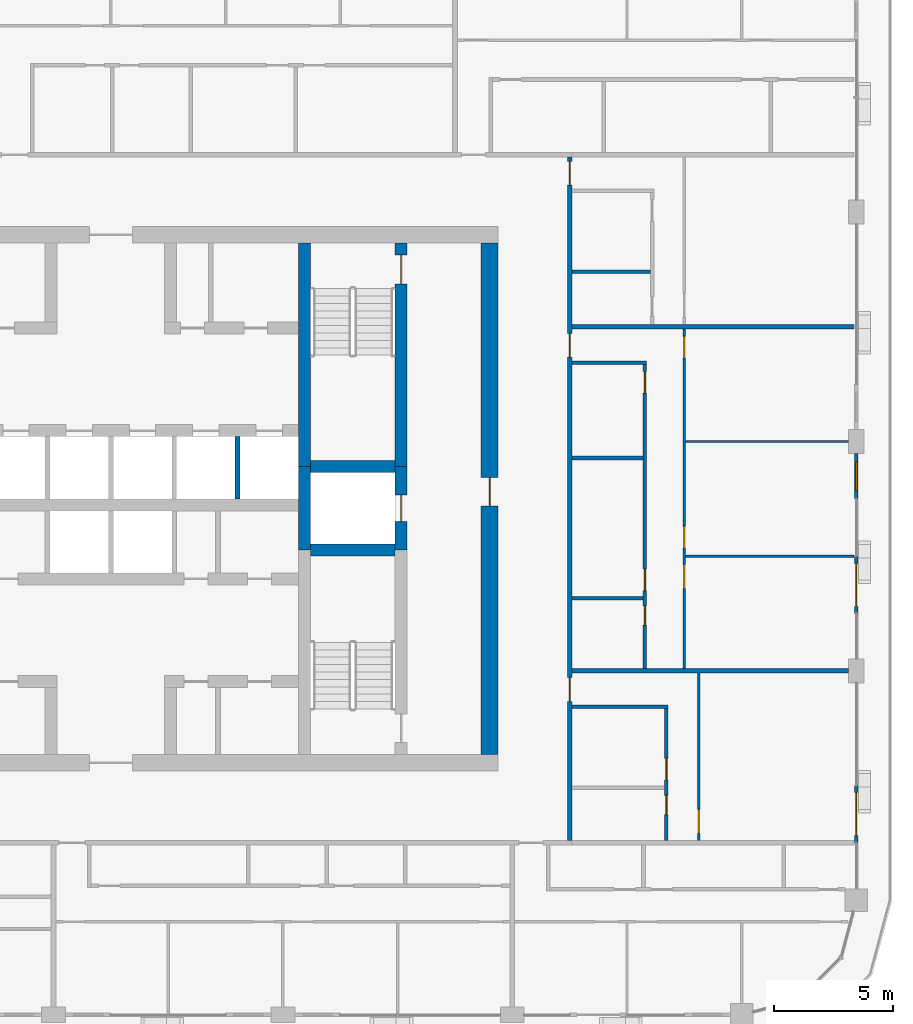
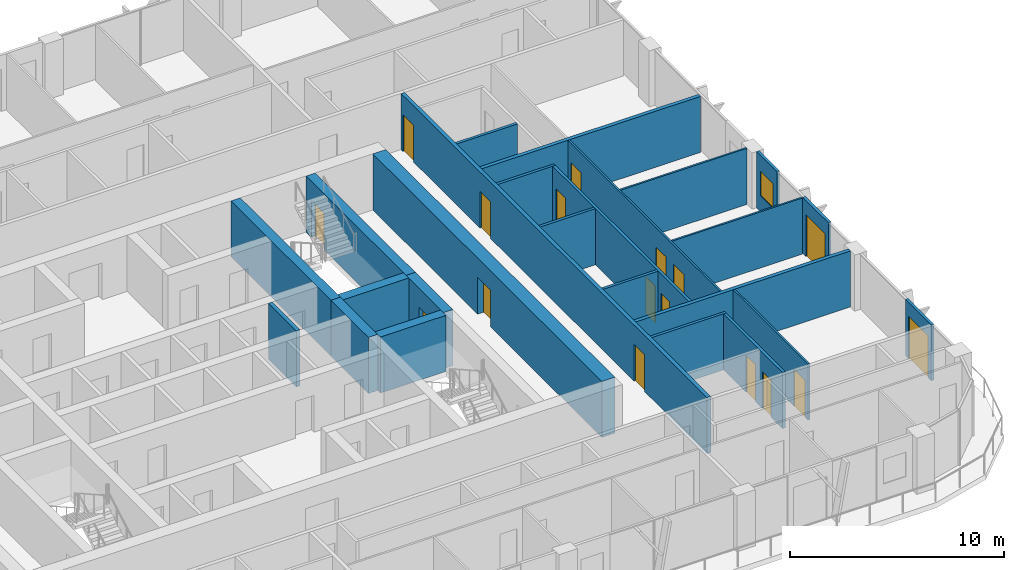
# One storey, part 13 of 23: 25 walls, 17 doors, 1 window, 18 openings.
"""IFC4 building model written with IfcOpenShell, lengths in metres."""

from ifc_helpers import new_model, si_unit, direction, frame, frame_2d, origin, place, context, subcontext, project, spatial, rectangle, extrude, material, layer, layer_set, type_object, element, fill, save


model = new_model("IFC4")

# Units and contexts
model_context = context("Model", 3, precision=1e-05, world=origin(), true_north=direction((0.0, 1.0)))
body_context = subcontext(model_context, "Body", "Model", "MODEL_VIEW")
ifc_project = project(units=[si_unit("LENGTHUNIT", "METRE"), si_unit("AREAUNIT", "SQUARE_METRE"), si_unit("VOLUMEUNIT", "CUBIC_METRE"), si_unit("PLANEANGLEUNIT", "RADIAN"), si_unit("MASSUNIT", "GRAM", prefix="KILO")], contexts=[model_context])

# Site, building, storey
site_placement = place(None, origin())
site = spatial("IfcSite", under=ifc_project, at=site_placement, CompositionType="ELEMENT")
building_placement = place(site_placement, origin())
building = spatial("IfcBuilding", under=site, at=building_placement, Name="Madar Terraces", CompositionType="ELEMENT")
storey_placement = place(building_placement, frame((0.0, 0.0, 222.800048828125)))
storey = spatial("IfcBuildingStorey", under=building, at=storey_placement, Name="L58", CompositionType="ELEMENT", Elevation=222.800048828125)

# Walls
ifc_material_1 = material(Name="Concrete C60/75", Category="concrete")
ifc_layer_1 = layer(ifc_material_1, 0.5)
ifc_layer_set_1 = layer_set([ifc_layer_1], Name="Concrete C60/75 (CIW4 RC wall 500)")
wall_type_1 = type_object("IfcWallType", Name="CIW4 RC wall 500", PredefinedType="SHEAR", material=ifc_layer_set_1)
wall_1_placement = place(storey_placement, frame((39.300048828125, 24.25, 0.0), z_axis=(0.0, 0.0, 1.0), x_axis=(0.0, 1.0, 0.0)))
element("IfcWall", 1, at=wall_1_placement, inside=storey, type_object=wall_type_1, Name="CORE SHAFT WALL", PredefinedType="SHEAR", context=body_context, shape_type="SweptSolid", body=[
    extrude(rectangle(XDim=3.5, YDim=0.5, at=frame_2d((1.75, 0.0))), origin(), (0.0, 0.0, 1.0), 3.199951171875),
])
wall_2_placement = place(storey_placement, frame((39.300048828125, 27.75, 0.0), z_axis=(0.0, 0.0, 1.0), x_axis=(0.0, 1.0, 0.0)))
element("IfcWall", 2, at=wall_2_placement, inside=storey, type_object=wall_type_1, Name="CORE SHAFT WALL", PredefinedType="SHEAR", context=body_context, shape_type="SweptSolid", body=[
    extrude(rectangle(XDim=9.35009765625, YDim=0.5, at=frame_2d((4.675048828125, 0.0))), origin(), (0.0, 0.0, 1.0), 3.199951171875),
])

# Wall, opening, door
wall_3_placement = place(storey_placement, frame((43.35009765625, 24.25, 0.0), z_axis=(0.0, 0.0, 1.0), x_axis=(0.0, 1.0, 0.0)))
wall_3 = element("IfcWall", 3, at=wall_3_placement, inside=storey, type_object=wall_type_1, Name="CORE SHAFT WALL", PredefinedType="SHEAR", context=body_context, shape_type="SweptSolid", body=[
    extrude(rectangle(XDim=3.5, YDim=0.5, at=frame_2d((1.75, 0.0))), origin(), (0.0, 0.0, 1.0), 3.199951171875),
])
opening_1_placement = place(wall_3_placement, frame((1.199951171875, 0.0, 0.0)))
opening_1 = element("IfcOpeningElement", 4, at=opening_1_placement, cuts=wall_3, Name="Opening LD", PredefinedType="OPENING", context=body_context, shape_type="SweptSolid", body=[
    extrude(rectangle(XDim=1.10009765625, YDim=2.10009765625, at=frame_2d((0.550048828125, 1.050048828125))), frame((0.0, 0.260009765625, 0.0), z_axis=(0.0, -1.0, 0.0), x_axis=(1.0, 0.0, 0.0)), (0.0, 0.0, 1.0), 0.52001953125),
])
ifc_material_2 = material(Name="Stainless steel panel", Category="steel")
door_type_1 = type_object("IfcDoorType", Name="Lift landing door 1100 x 2100", OperationType="DOUBLE_DOOR_SLIDING", PredefinedType="DOOR", material=ifc_material_2)
door_1_placement = place(opening_1_placement, origin())
door_1 = element("IfcDoor", 5, at=door_1_placement, inside=storey, type_object=door_type_1, Name="LIFT LANDING DOOR", OperationType="DOUBLE_DOOR_SLIDING", OverallHeight=2.10009765625, OverallWidth=1.10009765625, PredefinedType="DOOR", context=body_context, shape_type="SweptSolid", body=[
    extrude(rectangle(XDim=1.10009765625, YDim=2.10009765625, at=frame_2d((0.550048828125, 1.050048828125))), frame((0.0, 0.02490234375, 0.0), z_axis=(0.0, -1.0, 0.0), x_axis=(1.0, 0.0, 0.0)), (0.0, 0.0, 1.0), 0.050048828125),
])
fill(opening_1, door_1)

wall_4_placement = place(storey_placement, frame((43.35009765625, 27.75, 0.0), z_axis=(0.0, 0.0, 1.0), x_axis=(0.0, 1.0, 0.0)))
wall_4 = element("IfcWall", 6, at=wall_4_placement, inside=storey, type_object=wall_type_1, Name="CORE SHAFT WALL", PredefinedType="SHEAR", context=body_context, shape_type="SweptSolid", body=[
    extrude(rectangle(XDim=9.35009765625, YDim=0.5, at=frame_2d((4.675048828125, 0.0))), origin(), (0.0, 0.0, 1.0), 3.199951171875),
])
opening_2_placement = place(wall_4_placement, frame((7.64990234375, 0.0, 0.0)))
opening_2 = element("IfcOpeningElement", 7, at=opening_2_placement, cuts=wall_4, Name="Opening SD1", PredefinedType="OPENING", context=body_context, shape_type="SweptSolid", body=[
    extrude(rectangle(XDim=1.199951171875, YDim=2.10009765625, at=frame_2d((0.60009765625, 1.050048828125))), frame((0.0, 0.260009765625, 0.0), z_axis=(0.0, -1.0, 0.0), x_axis=(1.0, 0.0, 0.0)), (0.0, 0.0, 1.0), 0.52001953125),
])
ifc_material_3 = material(Name="Steel door leaf", Category="steel")
door_type_2 = type_object("IfcDoorType", Name="Stair door 1200 x 2100", OperationType="NOTDEFINED", PredefinedType="DOOR", material=ifc_material_3)
door_2_placement = place(opening_2_placement, origin())
door_2 = element("IfcDoor", 8, at=door_2_placement, inside=storey, type_object=door_type_2, Name="STAIR DOOR", OperationType="SINGLE_SWING_RIGHT", OverallHeight=2.10009765625, OverallWidth=1.199951171875, PredefinedType="DOOR", context=body_context, shape_type="SweptSolid", body=[
    extrude(rectangle(XDim=1.199951171875, YDim=2.10009765625, at=frame_2d((0.60009765625, 1.050048828125))), frame((0.0, 0.02490234375, 0.0), z_axis=(0.0, -1.0, 0.0), x_axis=(1.0, 0.0, 0.0)), (0.0, 0.0, 1.0), 0.050048828125),
])
fill(opening_2, door_2)

# Walls
for number, where, z_axis, x_axis, name in (
    (9, (39.550048828125, 24.25, 0.0), (0.0, 0.0, 1.0), (1.0, 0.0, 0.0), "CORE SHAFT WALL"),
    (10, (39.550048828125, 27.75, 0.0), (0.0, 0.0, 1.0), (1.0, 0.0, 0.0), "CORE SHAFT WALL"),
):
    element("IfcWall", number, at=place(storey_placement, frame(where, z_axis=z_axis, x_axis=x_axis)), inside=storey, type_object=wall_type_1, Name=name, PredefinedType="SHEAR", context=body_context, shape_type="SweptSolid", body=[
        extrude(rectangle(XDim=3.550048828125, YDim=0.5, at=frame_2d((1.77490234375, 0.0))), origin(), (0.0, 0.0, 1.0), 3.199951171875),
    ])

# Wall, opening, door
ifc_material_4 = material(Name="Concrete C60/75", Category="concrete")
ifc_layer_2 = layer(ifc_material_4, 0.699951171875)
ifc_layer_set_2 = layer_set([ifc_layer_2], Name="Concrete C60/75 (CRW4 RC wall 700)")
wall_type_2 = type_object("IfcWallType", Name="CRW4 RC wall 700", PredefinedType="SHEAR", material=ifc_layer_set_2)
wall_5_placement = place(storey_placement, frame((47.050048828125, 15.699951171875, 0.0), z_axis=(0.0, 0.0, 1.0), x_axis=(0.0, 1.0, 0.0)))
wall_5 = element("IfcWall", 11, at=wall_5_placement, inside=storey, type_object=wall_type_2, Name="CORE OUTER WALL", PredefinedType="SHEAR", context=body_context, shape_type="SweptSolid", body=[
    extrude(rectangle(XDim=21.400146484375, YDim=0.699951171875, at=frame_2d((10.7001953125, 0.0))), origin(), (0.0, 0.0, 1.0), 3.199951171875),
])
opening_3_placement = place(wall_5_placement, frame((10.39990234375, 0.0, 0.0)))
opening_3 = element("IfcOpeningElement", 12, at=opening_3_placement, cuts=wall_5, Name="Opening SD1", PredefinedType="OPENING", context=body_context, shape_type="SweptSolid", body=[
    extrude(rectangle(XDim=1.199951171875, YDim=2.10009765625, at=frame_2d((0.60009765625, 1.050048828125))), frame((0.0, 0.35986328125, 0.0), z_axis=(0.0, -1.0, 0.0), x_axis=(1.0, 0.0, 0.0)), (0.0, 0.0, 1.0), 0.719970703125),
])
door_3_placement = place(opening_3_placement, origin())
door_3 = element("IfcDoor", 13, at=door_3_placement, inside=storey, type_object=door_type_2, Name="STAIR DOOR", OperationType="SINGLE_SWING_RIGHT", OverallHeight=2.10009765625, OverallWidth=1.199951171875, PredefinedType="DOOR", context=body_context, shape_type="SweptSolid", body=[
    extrude(rectangle(XDim=1.199951171875, YDim=2.10009765625, at=frame_2d((0.60009765625, 1.050048828125))), frame((0.0, 0.02490234375, 0.0), z_axis=(0.0, -1.0, 0.0), x_axis=(1.0, 0.0, 0.0)), (0.0, 0.0, 1.0), 0.050048828125),
])
fill(opening_3, door_3)

# Wall
ifc_material_5 = material(Name="Concrete C40/50", Category="concrete")
ifc_layer_3 = layer(ifc_material_5, 0.199951171875)
ifc_layer_set_3 = layer_set([ifc_layer_3], Name="Core shaft dividing wall 200 C40/50")
wall_type_3 = type_object("IfcWallType", Name="Core shaft dividing wall 200 C40/50", PredefinedType="SOLIDWALL", material=ifc_layer_set_3)
wall_6_placement = place(storey_placement, frame((36.5, 26.39990234375, 0.0), z_axis=(0.0, 0.0, 1.0), x_axis=(0.0, 1.0, 0.0)))
element("IfcWall", 14, at=wall_6_placement, inside=storey, type_object=wall_type_3, Name="SHAFT DIVIDING WALL", PredefinedType="SOLIDWALL", context=body_context, shape_type="SweptSolid", body=[
    extrude(rectangle(XDim=2.60009765625, YDim=0.199951171875, at=frame_2d((1.300048828125, 0.0))), origin(), (0.0, 0.0, 1.0), 3.199951171875),
])

# Wall, opening, door
ifc_material_6 = material(Name="Aluminium composite panel, black, over insulated backing", Category="aluminium")
ifc_layer_4 = layer(ifc_material_6, 0.14990234375)
ifc_layer_set_4 = layer_set([ifc_layer_4], Name="Facade bay panel 150")
wall_type_4 = type_object("IfcWallType", Name="Facade bay panel 150", PredefinedType="SOLIDWALL", material=ifc_layer_set_4)
wall_7_placement = place(storey_placement, frame((62.39990234375, 12.0, 0.0), z_axis=(0.0, 0.0, 1.0), x_axis=(0.0, 1.0, 0.0)))
wall_7 = element("IfcWall", 15, at=wall_7_placement, inside=storey, type_object=wall_type_4, Name="Facade bay panel", PredefinedType="SOLIDWALL", context=body_context, shape_type="SweptSolid", body=[
    extrude(rectangle(XDim=2.39990234375, YDim=0.14990234375, at=frame_2d((1.199951171875, 0.0))), origin(), (0.0, 0.0, 1.0), 3.199951171875),
])
opening_4_placement = place(wall_7_placement, frame((0.300048828125, 0.0, 0.0)))
opening_4 = element("IfcOpeningElement", 16, at=opening_4_placement, cuts=wall_7, Name="Opening ED1", PredefinedType="OPENING", context=body_context, shape_type="SweptSolid", body=[
    extrude(rectangle(XDim=1.800048828125, YDim=2.39990234375, at=frame_2d((0.89990234375, 1.199951171875))), frame((0.0, 0.0849609375, 0.0), z_axis=(0.0, -1.0, 0.0), x_axis=(1.0, 0.0, 0.0)), (0.0, 0.0, 1.0), 0.169921875),
])
ifc_material_7 = material(Name="Glass, clear, with black aluminium frame", Category="aluminium")
door_type_3 = type_object("IfcDoorType", Name="Balcony and terrace sliding door 1800 x 2400", OperationType="SLIDING_TO_LEFT", PredefinedType="DOOR", material=ifc_material_7)
door_4_placement = place(opening_4_placement, origin())
door_4 = element("IfcDoor", 17, at=door_4_placement, inside=storey, type_object=door_type_3, Name="Balcony door", OperationType="SLIDING_TO_LEFT", OverallHeight=2.39990234375, OverallWidth=1.800048828125, PredefinedType="DOOR", context=body_context, shape_type="SweptSolid", body=[
    extrude(rectangle(XDim=1.800048828125, YDim=2.39990234375, at=frame_2d((0.89990234375, 1.199951171875))), frame((0.0, 0.02490234375, 0.0), z_axis=(0.0, -1.0, 0.0), x_axis=(1.0, 0.0, 0.0)), (0.0, 0.0, 1.0), 0.050048828125),
])
fill(opening_4, door_4)

wall_8_placement = place(storey_placement, frame((62.39990234375, 21.60009765625, 0.0), z_axis=(0.0, 0.0, 1.0), x_axis=(0.0, 1.0, 0.0)))
wall_8 = element("IfcWall", 18, at=wall_8_placement, inside=storey, type_object=wall_type_4, Name="Facade bay panel", PredefinedType="SOLIDWALL", context=body_context, shape_type="SweptSolid", body=[
    extrude(rectangle(XDim=2.39990234375, YDim=0.14990234375, at=frame_2d((1.199951171875, 0.0))), origin(), (0.0, 0.0, 1.0), 3.199951171875),
])
opening_5_placement = place(wall_8_placement, frame((0.300048828125, 0.0, 0.0)))
opening_5 = element("IfcOpeningElement", 19, at=opening_5_placement, cuts=wall_8, Name="Opening ED1", PredefinedType="OPENING", context=body_context, shape_type="SweptSolid", body=[
    extrude(rectangle(XDim=1.800048828125, YDim=2.39990234375, at=frame_2d((0.89990234375, 1.199951171875))), frame((0.0, 0.0849609375, 0.0), z_axis=(0.0, -1.0, 0.0), x_axis=(1.0, 0.0, 0.0)), (0.0, 0.0, 1.0), 0.169921875),
])
door_5_placement = place(opening_5_placement, origin())
door_5 = element("IfcDoor", 20, at=door_5_placement, inside=storey, type_object=door_type_3, Name="Balcony door", OperationType="SLIDING_TO_RIGHT", OverallHeight=2.39990234375, OverallWidth=1.800048828125, PredefinedType="DOOR", context=body_context, shape_type="SweptSolid", body=[
    extrude(rectangle(XDim=1.800048828125, YDim=2.39990234375, at=frame_2d((0.89990234375, 1.199951171875))), frame((0.0, 0.02490234375, 0.0), z_axis=(0.0, -1.0, 0.0), x_axis=(1.0, 0.0, 0.0)), (0.0, 0.0, 1.0), 0.050048828125),
])
fill(opening_5, door_5)

# Wall, opening, window
wall_9_placement = place(storey_placement, frame((62.39990234375, 26.39990234375, 0.0), z_axis=(0.0, 0.0, 1.0), x_axis=(0.0, 1.0, 0.0)))
wall_9 = element("IfcWall", 21, at=wall_9_placement, inside=storey, type_object=wall_type_4, Name="Facade bay panel", PredefinedType="SOLIDWALL", context=body_context, shape_type="SweptSolid", body=[
    extrude(rectangle(XDim=1.900146484375, YDim=0.14990234375, at=frame_2d((0.9501953125, 0.0))), origin(), (0.0, 0.0, 1.0), 3.199951171875),
])
opening_6_placement = place(wall_9_placement, frame((0.35009765625, 0.0, 0.89990234375)))
opening_6 = element("IfcOpeningElement", 22, at=opening_6_placement, cuts=wall_9, Name="Opening W1", PredefinedType="OPENING", context=body_context, shape_type="SweptSolid", body=[
    extrude(rectangle(XDim=1.199951171875, YDim=1.39990234375, at=frame_2d((0.60009765625, 0.699951171875))), frame((0.0, 0.0849609375, 0.0), z_axis=(0.0, -1.0, 0.0), x_axis=(1.0, 0.0, 0.0)), (0.0, 0.0, 1.0), 0.169921875),
])
ifc_material_8 = material(Name="Glass, clear, with black aluminium frame", Category="aluminium")
window_type = type_object("IfcWindowType", Name="Vent window 1200 x 1400", PartitioningType="SINGLE_PANEL", PredefinedType="WINDOW", material=ifc_material_8)
window_placement = place(opening_6_placement, origin())
window = element("IfcWindow", 23, at=window_placement, inside=storey, type_object=window_type, Name="Operable vent window", OverallHeight=1.39990234375, OverallWidth=1.199951171875, PartitioningType="SINGLE_PANEL", PredefinedType="WINDOW", context=body_context, shape_type="SweptSolid", body=[
    extrude(rectangle(XDim=1.199951171875, YDim=1.39990234375, at=frame_2d((0.60009765625, 0.699951171875))), frame((0.0, 0.030029296875, 0.0), z_axis=(0.0, -1.0, 0.0), x_axis=(1.0, 0.0, 0.0)), (0.0, 0.0, 1.0), 0.06005859375),
])
fill(opening_6, window)

# Wall, opening, door
ifc_material_9 = material(Name="Gypsum board on steel studs", Category="steel")
ifc_layer_5 = layer(ifc_material_9, 0.10009765625)
ifc_layer_set_5 = layer_set([ifc_layer_5], Name="Flat partition 100")
wall_type_5 = type_object("IfcWallType", Name="Flat partition 100", PredefinedType="PARTITIONING", material=ifc_layer_set_5)
wall_10_placement = place(storey_placement, frame((55.800048828125, 19.10009765625, 0.0), z_axis=(0.0, 0.0, 1.0), x_axis=(0.0, -1.0, 0.0)))
wall_10 = element("IfcWall", 24, at=wall_10_placement, inside=storey, type_object=wall_type_5, Name="Flat partition 100", PredefinedType="PARTITIONING", context=body_context, shape_type="SweptSolid", body=[
    extrude(rectangle(XDim=7.0, YDim=0.10009765625, at=frame_2d((3.5, 0.0))), origin(), (0.0, 0.0, 1.0), 3.199951171875),
])
opening_7_placement = place(wall_10_placement, frame((5.699951171875, 0.0, 0.0)))
opening_7 = element("IfcOpeningElement", 25, at=opening_7_placement, cuts=wall_10, Name="Opening D3", PredefinedType="OPENING", context=body_context, shape_type="SweptSolid", body=[
    extrude(rectangle(XDim=1.0, YDim=2.10009765625, at=frame_2d((0.5, 1.050048828125))), frame((0.0, 0.06005859375, 0.0), z_axis=(0.0, -1.0, 0.0), x_axis=(1.0, 0.0, 0.0)), (0.0, 0.0, 1.0), 0.1201171875),
])
ifc_material_10 = material(Name="Timber door leaf", Category="wood")
door_type_4 = type_object("IfcDoorType", Name="Flat living room door 1000", OperationType="NOTDEFINED", PredefinedType="DOOR", material=ifc_material_10)
door_6_placement = place(opening_7_placement, origin())
door_6 = element("IfcDoor", 26, at=door_6_placement, inside=storey, type_object=door_type_4, Name="Flat living room door 1000", OperationType="SINGLE_SWING_RIGHT", OverallHeight=2.10009765625, OverallWidth=1.0, PredefinedType="DOOR", context=body_context, shape_type="SweptSolid", body=[
    extrude(rectangle(XDim=1.0, YDim=2.10009765625, at=frame_2d((0.5, 1.050048828125))), frame((0.0, 0.02490234375, 0.0), z_axis=(0.0, -1.0, 0.0), x_axis=(1.0, 0.0, 0.0)), (0.0, 0.0, 1.0), 0.050048828125),
])
fill(opening_7, door_6)

# Walls
wall_11_placement = place(storey_placement, frame((55.25, 28.800048828125, 0.0), z_axis=(0.0, 0.0, 1.0), x_axis=(1.0, 0.0, 0.0)))
element("IfcWall", 27, at=wall_11_placement, inside=storey, type_object=wall_type_5, Name="Flat partition 100", PredefinedType="PARTITIONING", context=body_context, shape_type="SweptSolid", body=[
    extrude(rectangle(XDim=6.824951171875, YDim=0.10009765625, at=frame_2d((3.41259765625, 0.0))), origin(), (0.0, 0.0, 1.0), 3.199951171875),
])
wall_12_placement = place(storey_placement, frame((55.25, 24.0, 0.0), z_axis=(0.0, 0.0, 1.0), x_axis=(1.0, 0.0, 0.0)))
element("IfcWall", 28, at=wall_12_placement, inside=storey, type_object=wall_type_5, Name="Flat partition 100", PredefinedType="PARTITIONING", context=body_context, shape_type="SweptSolid", body=[
    extrude(rectangle(XDim=7.050048828125, YDim=0.10009765625, at=frame_2d((3.52490234375, 0.0))), origin(), (0.0, 0.0, 1.0), 3.199951171875),
])

# Wall, openings, doors
wall_13_placement = place(storey_placement, frame((55.199951171875, 33.5, 0.0), z_axis=(0.0, 0.0, 1.0), x_axis=(0.0, -1.0, 0.0)))
wall_13 = element("IfcWall", 29, at=wall_13_placement, inside=storey, type_object=wall_type_5, Name="Flat partition 100", PredefinedType="PARTITIONING", context=body_context, shape_type="SweptSolid", body=[
    extrude(rectangle(XDim=14.199951171875, YDim=0.10009765625, at=frame_2d((7.10009765625, 0.0))), origin(), (0.0, 0.0, 1.0), 3.199951171875),
])
opening_8_placement = place(wall_13_placement, frame((0.300048828125, 0.0, 0.0)))
opening_8 = element("IfcOpeningElement", 30, at=opening_8_placement, cuts=wall_13, Name="Opening D2", PredefinedType="OPENING", context=body_context, shape_type="SweptSolid", body=[
    extrude(rectangle(XDim=0.89990234375, YDim=2.10009765625, at=frame_2d((0.449951171875, 1.050048828125))), frame((0.0, 0.06005859375, 0.0), z_axis=(0.0, -1.0, 0.0), x_axis=(1.0, 0.0, 0.0)), (0.0, 0.0, 1.0), 0.1201171875),
])
opening_9_placement = place(wall_13_placement, frame((8.25, 0.0, 0.0)))
opening_9 = element("IfcOpeningElement", 31, at=opening_9_placement, cuts=wall_13, Name="Opening D2", PredefinedType="OPENING", context=body_context, shape_type="SweptSolid", body=[
    extrude(rectangle(XDim=0.89990234375, YDim=2.10009765625, at=frame_2d((0.449951171875, 1.050048828125))), frame((0.0, 0.06005859375, 0.0), z_axis=(0.0, -1.0, 0.0), x_axis=(1.0, 0.0, 0.0)), (0.0, 0.0, 1.0), 0.1201171875),
])
opening_10_placement = place(wall_13_placement, frame((9.85009765625, 0.0, 0.0)))
opening_10 = element("IfcOpeningElement", 32, at=opening_10_placement, cuts=wall_13, Name="Opening D3", PredefinedType="OPENING", context=body_context, shape_type="SweptSolid", body=[
    extrude(rectangle(XDim=1.0, YDim=2.10009765625, at=frame_2d((0.5, 1.050048828125))), frame((0.0, 0.06005859375, 0.0), z_axis=(0.0, -1.0, 0.0), x_axis=(1.0, 0.0, 0.0)), (0.0, 0.0, 1.0), 0.1201171875),
])
door_7_placement = place(opening_10_placement, origin())
door_7 = element("IfcDoor", 33, at=door_7_placement, inside=storey, type_object=door_type_4, Name="Flat living room door 1000", OperationType="SINGLE_SWING_LEFT", OverallHeight=2.10009765625, OverallWidth=1.0, PredefinedType="DOOR", context=body_context, shape_type="SweptSolid", body=[
    extrude(rectangle(XDim=1.0, YDim=2.10009765625, at=frame_2d((0.5, 1.050048828125))), frame((0.0, 0.02490234375, 0.0), z_axis=(0.0, -1.0, 0.0), x_axis=(1.0, 0.0, 0.0)), (0.0, 0.0, 1.0), 0.050048828125),
])
fill(opening_10, door_7)
ifc_material_11 = material(Name="Timber door leaf", Category="wood")
door_type_5 = type_object("IfcDoorType", Name="Flat room door 900", OperationType="NOTDEFINED", PredefinedType="DOOR", material=ifc_material_11)
door_8_placement = place(opening_8_placement, origin())
door_8 = element("IfcDoor", 34, at=door_8_placement, inside=storey, type_object=door_type_5, Name="Flat room door 900", OperationType="SINGLE_SWING_LEFT", OverallHeight=2.10009765625, OverallWidth=0.89990234375, PredefinedType="DOOR", context=body_context, shape_type="SweptSolid", body=[
    extrude(rectangle(XDim=0.89990234375, YDim=2.10009765625, at=frame_2d((0.449951171875, 1.050048828125))), frame((0.0, 0.02490234375, 0.0), z_axis=(0.0, -1.0, 0.0), x_axis=(1.0, 0.0, 0.0)), (0.0, 0.0, 1.0), 0.050048828125),
])
fill(opening_8, door_8)
door_9_placement = place(opening_9_placement, origin())
door_9 = element("IfcDoor", 35, at=door_9_placement, inside=storey, type_object=door_type_5, Name="Flat room door 900", OperationType="SINGLE_SWING_RIGHT", OverallHeight=2.10009765625, OverallWidth=0.89990234375, PredefinedType="DOOR", context=body_context, shape_type="SweptSolid", body=[
    extrude(rectangle(XDim=0.89990234375, YDim=2.10009765625, at=frame_2d((0.449951171875, 1.050048828125))), frame((0.0, 0.02490234375, 0.0), z_axis=(0.0, -1.0, 0.0), x_axis=(1.0, 0.0, 0.0)), (0.0, 0.0, 1.0), 0.050048828125),
])
fill(opening_9, door_9)

ifc_material_12 = material(Name="Lightweight blockwork", Category="masonry")
ifc_layer_6 = layer(ifc_material_12, 0.199951171875)
ifc_layer_set_6 = layer_set([ifc_layer_6], Name="Flat party and entrance wall 200")
wall_type_6 = type_object("IfcWallType", Name="Flat party and entrance wall 200", PredefinedType="PARTITIONING", material=ifc_layer_set_6)
wall_14_placement = place(storey_placement, frame((50.39990234375, 40.699951171875, 0.0), z_axis=(0.0, 0.0, 1.0), x_axis=(0.0, -1.0, 0.0)))
wall_14 = element("IfcWall", 36, at=wall_14_placement, inside=storey, type_object=wall_type_6, Name="Flat party and entrance wall 200", PredefinedType="PARTITIONING", context=body_context, shape_type="SweptSolid", body=[
    extrude(rectangle(XDim=28.599853515625, YDim=0.199951171875, at=frame_2d((14.2998046875, 0.0))), origin(), (0.0, 0.0, 1.0), 3.199951171875),
])
opening_11_placement = place(wall_14_placement, frame((21.77490234375, 0.0, 0.0)))
opening_11 = element("IfcOpeningElement", 37, at=opening_11_placement, cuts=wall_14, Name="Opening D1", PredefinedType="OPENING", context=body_context, shape_type="SweptSolid", body=[
    extrude(rectangle(XDim=1.0, YDim=2.10009765625, at=frame_2d((0.5, 1.050048828125))), frame((0.0, 0.10986328125, 0.0), z_axis=(0.0, -1.0, 0.0), x_axis=(1.0, 0.0, 0.0)), (0.0, 0.0, 1.0), 0.219970703125),
])
opening_12_placement = place(wall_14_placement, frame((7.375, 0.0, 0.0)))
opening_12 = element("IfcOpeningElement", 38, at=opening_12_placement, cuts=wall_14, Name="Opening D1", PredefinedType="OPENING", context=body_context, shape_type="SweptSolid", body=[
    extrude(rectangle(XDim=1.0, YDim=2.10009765625, at=frame_2d((0.5, 1.050048828125))), frame((0.0, 0.10986328125, 0.0), z_axis=(0.0, -1.0, 0.0), x_axis=(1.0, 0.0, 0.0)), (0.0, 0.0, 1.0), 0.219970703125),
])
opening_13_placement = place(wall_14_placement, frame((0.175048828125, 0.0, 0.0)))
opening_13 = element("IfcOpeningElement", 39, at=opening_13_placement, cuts=wall_14, Name="Opening D1", PredefinedType="OPENING", context=body_context, shape_type="SweptSolid", body=[
    extrude(rectangle(XDim=1.0, YDim=2.10009765625, at=frame_2d((0.5, 1.050048828125))), frame((0.0, 0.10986328125, 0.0), z_axis=(0.0, -1.0, 0.0), x_axis=(1.0, 0.0, 0.0)), (0.0, 0.0, 1.0), 0.219970703125),
])
ifc_material_13 = material(Name="Timber fire door leaf", Category="wood")
door_type_6 = type_object("IfcDoorType", Name="Flat entrance door 1000 FD30S", OperationType="NOTDEFINED", PredefinedType="DOOR", material=ifc_material_13)
door_10_placement = place(opening_11_placement, origin())
door_10 = element("IfcDoor", 40, at=door_10_placement, inside=storey, type_object=door_type_6, Name="Flat entrance door 1000 FD30S", OperationType="SINGLE_SWING_LEFT", OverallHeight=2.10009765625, OverallWidth=1.0, PredefinedType="DOOR", context=body_context, shape_type="SweptSolid", body=[
    extrude(rectangle(XDim=1.0, YDim=2.10009765625, at=frame_2d((0.5, 1.050048828125))), frame((0.0, 0.02490234375, 0.0), z_axis=(0.0, -1.0, 0.0), x_axis=(1.0, 0.0, 0.0)), (0.0, 0.0, 1.0), 0.050048828125),
])
fill(opening_11, door_10)
door_11_placement = place(opening_12_placement, origin())
door_11 = element("IfcDoor", 41, at=door_11_placement, inside=storey, type_object=door_type_6, Name="Flat entrance door 1000 FD30S", OperationType="SINGLE_SWING_LEFT", OverallHeight=2.10009765625, OverallWidth=1.0, PredefinedType="DOOR", context=body_context, shape_type="SweptSolid", body=[
    extrude(rectangle(XDim=1.0, YDim=2.10009765625, at=frame_2d((0.5, 1.050048828125))), frame((0.0, 0.02490234375, 0.0), z_axis=(0.0, -1.0, 0.0), x_axis=(1.0, 0.0, 0.0)), (0.0, 0.0, 1.0), 0.050048828125),
])
fill(opening_12, door_11)
door_12_placement = place(opening_13_placement, origin())
door_12 = element("IfcDoor", 42, at=door_12_placement, inside=storey, type_object=door_type_6, Name="Flat entrance door 1000 FD30S", OperationType="SINGLE_SWING_LEFT", OverallHeight=2.10009765625, OverallWidth=1.0, PredefinedType="DOOR", context=body_context, shape_type="SweptSolid", body=[
    extrude(rectangle(XDim=1.0, YDim=2.10009765625, at=frame_2d((0.5, 1.050048828125))), frame((0.0, 0.02490234375, 0.0), z_axis=(0.0, -1.0, 0.0), x_axis=(1.0, 0.0, 0.0)), (0.0, 0.0, 1.0), 0.050048828125),
])
fill(opening_13, door_12)

# Walls
wall_15_placement = place(storey_placement, frame((50.5, 19.199951171875, 0.0), z_axis=(0.0, 0.0, 1.0), x_axis=(1.0, 0.0, 0.0)))
element("IfcWall", 43, at=wall_15_placement, inside=storey, type_object=wall_type_6, Name="Flat party and entrance wall 200", PredefinedType="PARTITIONING", context=body_context, shape_type="SweptSolid", body=[
    extrude(rectangle(XDim=11.574951171875, YDim=0.199951171875, at=frame_2d((5.78759765625, 0.0))), origin(), (0.0, 0.0, 1.0), 3.199951171875),
])
wall_16_placement = place(storey_placement, frame((50.5, 33.60009765625, 0.0), z_axis=(0.0, 0.0, 1.0), x_axis=(1.0, 0.0, 0.0)))
element("IfcWall", 44, at=wall_16_placement, inside=storey, type_object=wall_type_6, Name="Flat party and entrance wall 200", PredefinedType="PARTITIONING", context=body_context, shape_type="SweptSolid", body=[
    extrude(rectangle(XDim=11.800048828125, YDim=0.199951171875, at=frame_2d((5.89990234375, 0.0))), origin(), (0.0, 0.0, 1.0), 3.199951171875),
])
ifc_material_14 = material(Name="Lightweight blockwork", Category="masonry")
ifc_layer_7 = layer(ifc_material_14, 0.14990234375)
ifc_layer_set_7 = layer_set([ifc_layer_7], Name="Flat wet-room partition 150")
wall_type_7 = type_object("IfcWallType", Name="Flat wet-room partition 150", PredefinedType="PARTITIONING", material=ifc_layer_set_7)
wall_17_placement = place(storey_placement, frame((50.5, 17.699951171875, 0.0), z_axis=(0.0, 0.0, 1.0), x_axis=(1.0, 0.0, 0.0)))
element("IfcWall", 45, at=wall_17_placement, inside=storey, type_object=wall_type_7, Name="Flat wet-room partition 150", PredefinedType="PARTITIONING", context=body_context, shape_type="SweptSolid", body=[
    extrude(rectangle(XDim=4.02490234375, YDim=0.14990234375, at=frame_2d((2.012451171875, 0.0))), origin(), (0.0, 0.0, 1.0), 3.199951171875),
])

# Wall, openings, doors
wall_18_placement = place(storey_placement, frame((54.449951171875, 12.10009765625, 0.0), z_axis=(0.0, 0.0, 1.0), x_axis=(0.0, 1.0, 0.0)))
wall_18 = element("IfcWall", 46, at=wall_18_placement, inside=storey, type_object=wall_type_7, Name="Flat wet-room partition 150", PredefinedType="PARTITIONING", context=body_context, shape_type="SweptSolid", body=[
    extrude(rectangle(XDim=5.52490234375, YDim=0.14990234375, at=frame_2d((2.762451171875, 0.0))), origin(), (0.0, 0.0, 1.0), 3.199951171875),
])
opening_14_placement = place(wall_18_placement, frame((2.534912109375, 0.0, 0.0)))
opening_14 = element("IfcOpeningElement", 47, at=opening_14_placement, cuts=wall_18, Name="Opening D2", PredefinedType="OPENING", context=body_context, shape_type="SweptSolid", body=[
    extrude(rectangle(XDim=0.89990234375, YDim=2.10009765625, at=frame_2d((0.449951171875, 1.050048828125))), frame((0.0, 0.0849609375, 0.0), z_axis=(0.0, -1.0, 0.0), x_axis=(1.0, 0.0, 0.0)), (0.0, 0.0, 1.0), 0.169921875),
])
opening_15_placement = place(wall_18_placement, frame((1.0849609375, 0.0, 0.0)))
opening_15 = element("IfcOpeningElement", 48, at=opening_15_placement, cuts=wall_18, Name="Opening D4", PredefinedType="OPENING", context=body_context, shape_type="SweptSolid", body=[
    extrude(rectangle(XDim=0.800048828125, YDim=2.10009765625, at=frame_2d((0.39990234375, 1.050048828125))), frame((0.0, 0.0849609375, 0.0), z_axis=(0.0, -1.0, 0.0), x_axis=(1.0, 0.0, 0.0)), (0.0, 0.0, 1.0), 0.169921875),
])
ifc_material_15 = material(Name="Timber door leaf", Category="wood")
door_type_7 = type_object("IfcDoorType", Name="Flat bathroom door 800", OperationType="NOTDEFINED", PredefinedType="DOOR", material=ifc_material_15)
door_13_placement = place(opening_15_placement, origin())
door_13 = element("IfcDoor", 49, at=door_13_placement, inside=storey, type_object=door_type_7, Name="Flat bathroom door 800", OperationType="SINGLE_SWING_RIGHT", OverallHeight=2.10009765625, OverallWidth=0.800048828125, PredefinedType="DOOR", context=body_context, shape_type="SweptSolid", body=[
    extrude(rectangle(XDim=0.800048828125, YDim=2.10009765625, at=frame_2d((0.39990234375, 1.050048828125))), frame((0.0, 0.02490234375, 0.0), z_axis=(0.0, -1.0, 0.0), x_axis=(1.0, 0.0, 0.0)), (0.0, 0.0, 1.0), 0.050048828125),
])
fill(opening_15, door_13)
door_14_placement = place(opening_14_placement, origin())
door_14 = element("IfcDoor", 50, at=door_14_placement, inside=storey, type_object=door_type_5, Name="Flat room door 900", OperationType="SINGLE_SWING_LEFT", OverallHeight=2.10009765625, OverallWidth=0.89990234375, PredefinedType="DOOR", context=body_context, shape_type="SweptSolid", body=[
    extrude(rectangle(XDim=0.89990234375, YDim=2.10009765625, at=frame_2d((0.449951171875, 1.050048828125))), frame((0.0, 0.02490234375, 0.0), z_axis=(0.0, -1.0, 0.0), x_axis=(1.0, 0.0, 0.0)), (0.0, 0.0, 1.0), 0.050048828125),
])
fill(opening_14, door_14)

# Walls
for number, where, z_axis, x_axis, name in (
    (51, (50.5, 28.109619140625, 0.0), (0.0, 0.0, 1.0), (1.0, 0.0, 0.0), "Flat wet-room partition 150"),
    (52, (50.5, 22.236572265625, 0.0), (0.0, 0.0, 1.0), (1.0, 0.0, 0.0), "Flat wet-room partition 150"),
):
    element("IfcWall", number, at=place(storey_placement, frame(where, z_axis=z_axis, x_axis=x_axis)), inside=storey, type_object=wall_type_7, Name=name, PredefinedType="PARTITIONING", context=body_context, shape_type="SweptSolid", body=[
        extrude(rectangle(XDim=2.97509765625, YDim=0.14990234375, at=frame_2d((1.487548828125, 0.0))), origin(), (0.0, 0.0, 1.0), 3.199951171875),
    ])
wall_19_placement = place(storey_placement, frame((50.5, 32.10009765625, 0.0), z_axis=(0.0, 0.0, 1.0), x_axis=(1.0, 0.0, 0.0)))
element("IfcWall", 53, at=wall_19_placement, inside=storey, type_object=wall_type_7, Name="Flat wet-room partition 150", PredefinedType="PARTITIONING", context=body_context, shape_type="SweptSolid", body=[
    extrude(rectangle(XDim=3.125, YDim=0.14990234375, at=frame_2d((1.5625, 0.0))), origin(), (0.0, 0.0, 1.0), 3.199951171875),
])

# Wall, openings, doors
wall_20_placement = place(storey_placement, frame((53.550048828125, 19.300048828125, 0.0), z_axis=(0.0, 0.0, 1.0), x_axis=(0.0, 1.0, 0.0)))
wall_20 = element("IfcWall", 54, at=wall_20_placement, inside=storey, type_object=wall_type_7, Name="Flat wet-room partition 150", PredefinedType="PARTITIONING", context=body_context, shape_type="SweptSolid", body=[
    extrude(rectangle(XDim=12.724853515625, YDim=0.14990234375, at=frame_2d((6.3623046875, 0.0))), origin(), (0.0, 0.0, 1.0), 3.199951171875),
])
opening_16_placement = place(wall_20_placement, frame((11.52490234375, 0.0, 0.0)))
opening_16 = element("IfcOpeningElement", 55, at=opening_16_placement, cuts=wall_20, Name="Opening D5", PredefinedType="OPENING", context=body_context, shape_type="SweptSolid", body=[
    extrude(rectangle(XDim=0.89990234375, YDim=2.10009765625, at=frame_2d((0.449951171875, 1.050048828125))), frame((0.0, 0.0849609375, 0.0), z_axis=(0.0, -1.0, 0.0), x_axis=(1.0, 0.0, 0.0)), (0.0, 0.0, 1.0), 0.169921875),
])
opening_17_placement = place(wall_20_placement, frame((3.261474609375, 0.0, 0.0)))
opening_17 = element("IfcOpeningElement", 56, at=opening_17_placement, cuts=wall_20, Name="Opening D2", PredefinedType="OPENING", context=body_context, shape_type="SweptSolid", body=[
    extrude(rectangle(XDim=0.89990234375, YDim=2.10009765625, at=frame_2d((0.449951171875, 1.050048828125))), frame((0.0, 0.0849609375, 0.0), z_axis=(0.0, -1.0, 0.0), x_axis=(1.0, 0.0, 0.0)), (0.0, 0.0, 1.0), 0.169921875),
])
opening_18_placement = place(wall_20_placement, frame((1.8115234375, 0.0, 0.0)))
opening_18 = element("IfcOpeningElement", 57, at=opening_18_placement, cuts=wall_20, Name="Opening D4", PredefinedType="OPENING", context=body_context, shape_type="SweptSolid", body=[
    extrude(rectangle(XDim=0.800048828125, YDim=2.10009765625, at=frame_2d((0.39990234375, 1.050048828125))), frame((0.0, 0.0849609375, 0.0), z_axis=(0.0, -1.0, 0.0), x_axis=(1.0, 0.0, 0.0)), (0.0, 0.0, 1.0), 0.169921875),
])
ifc_material_16 = material(Name="Timber door leaf", Category="wood")
door_type_8 = type_object("IfcDoorType", Name="Flat accessible bathroom door 900", OperationType="NOTDEFINED", PredefinedType="DOOR", material=ifc_material_16)
door_15_placement = place(opening_16_placement, origin())
door_15 = element("IfcDoor", 58, at=door_15_placement, inside=storey, type_object=door_type_8, Name="Flat accessible bathroom door 900", OperationType="SINGLE_SWING_RIGHT", OverallHeight=2.10009765625, OverallWidth=0.89990234375, PredefinedType="DOOR", context=body_context, shape_type="SweptSolid", body=[
    extrude(rectangle(XDim=0.89990234375, YDim=2.10009765625, at=frame_2d((0.449951171875, 1.050048828125))), frame((0.0, 0.02490234375, 0.0), z_axis=(0.0, -1.0, 0.0), x_axis=(1.0, 0.0, 0.0)), (0.0, 0.0, 1.0), 0.050048828125),
])
fill(opening_16, door_15)
door_16_placement = place(opening_18_placement, origin())
door_16 = element("IfcDoor", 59, at=door_16_placement, inside=storey, type_object=door_type_7, Name="Flat bathroom door 800", OperationType="SINGLE_SWING_RIGHT", OverallHeight=2.10009765625, OverallWidth=0.800048828125, PredefinedType="DOOR", context=body_context, shape_type="SweptSolid", body=[
    extrude(rectangle(XDim=0.800048828125, YDim=2.10009765625, at=frame_2d((0.39990234375, 1.050048828125))), frame((0.0, 0.02490234375, 0.0), z_axis=(0.0, -1.0, 0.0), x_axis=(1.0, 0.0, 0.0)), (0.0, 0.0, 1.0), 0.050048828125),
])
fill(opening_18, door_16)
door_17_placement = place(opening_17_placement, origin())
door_17 = element("IfcDoor", 60, at=door_17_placement, inside=storey, type_object=door_type_5, Name="Flat room door 900", OperationType="SINGLE_SWING_LEFT", OverallHeight=2.10009765625, OverallWidth=0.89990234375, PredefinedType="DOOR", context=body_context, shape_type="SweptSolid", body=[
    extrude(rectangle(XDim=0.89990234375, YDim=2.10009765625, at=frame_2d((0.449951171875, 1.050048828125))), frame((0.0, 0.02490234375, 0.0), z_axis=(0.0, -1.0, 0.0), x_axis=(1.0, 0.0, 0.0)), (0.0, 0.0, 1.0), 0.050048828125),
])
fill(opening_17, door_17)

# Wall
wall_21_placement = place(storey_placement, frame((50.5, 35.909912109375, 0.0), z_axis=(0.0, 0.0, 1.0), x_axis=(1.0, 0.0, 0.0)))
element("IfcWall", 61, at=wall_21_placement, inside=storey, type_object=wall_type_7, Name="Flat wet-room partition 150", PredefinedType="PARTITIONING", context=body_context, shape_type="SweptSolid", body=[
    extrude(rectangle(XDim=3.27490234375, YDim=0.14990234375, at=frame_2d((1.637451171875, 0.0))), origin(), (0.0, 0.0, 1.0), 3.199951171875),
])

save(model, "model.ifc")
